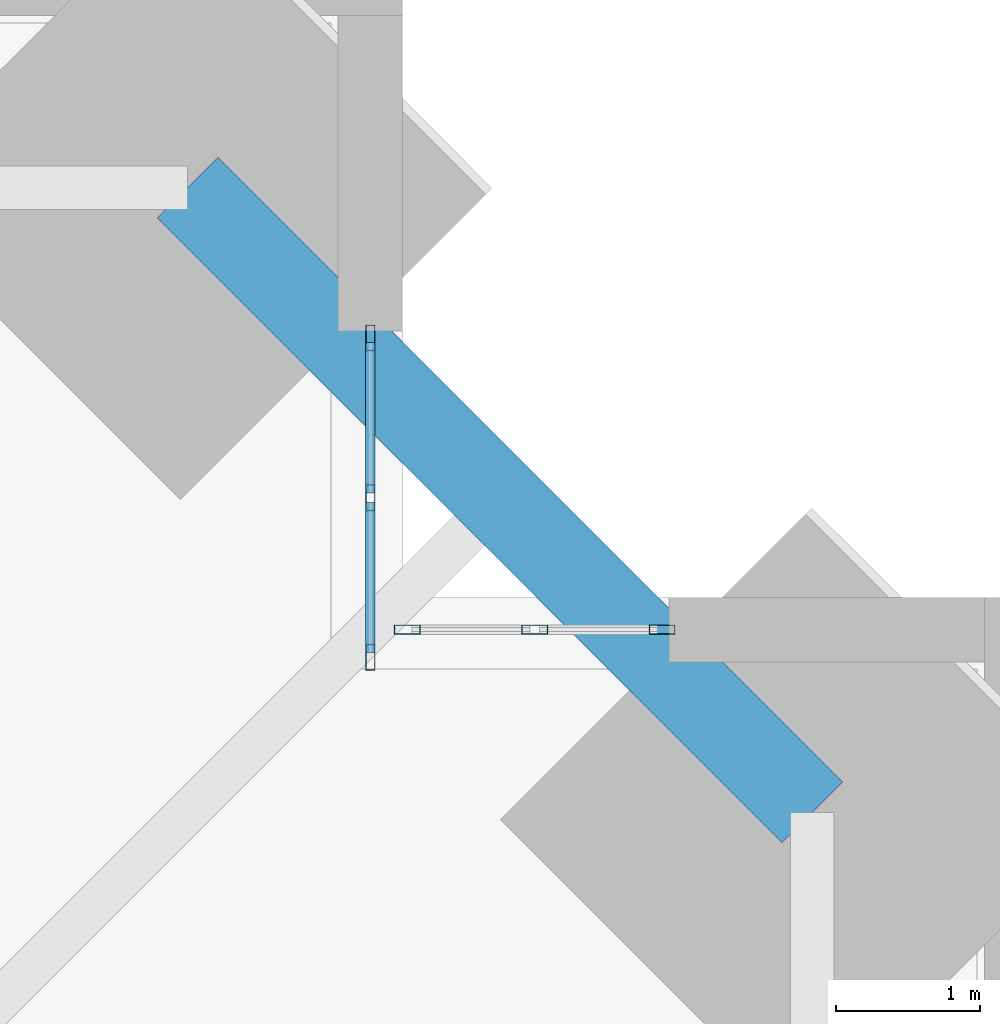
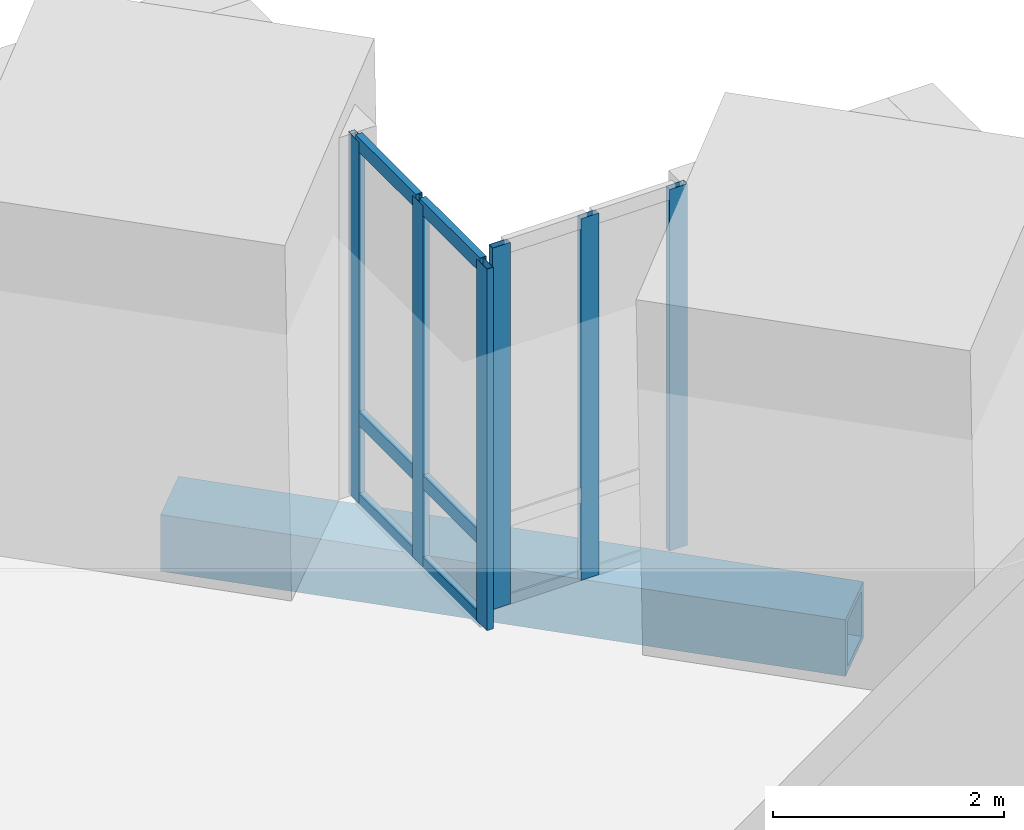
# One storey, part 8 of 14: 12 members, 1 beam, 2 elements without a shape of their own.
"""IFC4 building model written with IfcOpenShell, lengths in metres."""

from ifc_helpers import new_model, si_unit, direction, frame, origin, origin_2d, place, context, subcontext, project, spatial, hollow_rectangle, extrude, material, material_profile, profile_set, type_object, element, aggregate, save


model = new_model("IFC4")

# Units and contexts
model_context = context("Model", 3, precision=1e-05, world=origin(), true_north=direction((0.0, 1.0)))
body_context = subcontext(model_context, "Body", "Model", "MODEL_VIEW")
ifc_project = project(units=[si_unit("LENGTHUNIT", "METRE"), si_unit("AREAUNIT", "SQUARE_METRE"), si_unit("VOLUMEUNIT", "CUBIC_METRE"), si_unit("PLANEANGLEUNIT", "RADIAN"), si_unit("MASSUNIT", "GRAM", prefix="KILO")], contexts=[model_context])

# Site, building, storey
site_placement = place(None, origin())
site = spatial("IfcSite", under=ifc_project, at=site_placement, CompositionType="ELEMENT")
building_placement = place(site_placement, origin())
building = spatial("IfcBuilding", under=site, at=building_placement, Name="Peilmerk Tower", CompositionType="ELEMENT")
storey_placement = place(building_placement, frame((0.0, 0.0, 221.800048828125)))
storey = spatial("IfcBuildingStorey", under=building, at=storey_placement, Name="L48", CompositionType="ELEMENT", Elevation=221.800048828125)

# Beam
ifc_material_1 = material(Name="Steel S460", Category="steel")
ifc_material_profile_1 = material_profile(ifc_material_1, hollow_rectangle(XDim=0.60009765625, YDim=0.60009765625, WallThickness=0.06005859375, at=origin_2d()), Name="BOX 600x600x60")
ifc_profile_set_1 = profile_set([ifc_material_profile_1], Name="Steel S460")
beam_type = type_object("IfcBeamType", Name="B20 BOX 600x600x60 notch beam", PredefinedType="SPANDREL", material=ifc_profile_set_1)
beam_placement = place(storey_placement, frame((17.603271484375, 21.953125, -0.469970703125), z_axis=(0.707106781187, -0.707106781187, 0.0), x_axis=(0.707106781187, 0.707106781187, 0.0)))
element("IfcBeam", 1, at=beam_placement, inside=storey, type_object=beam_type, Name="Notch beam L48", PredefinedType="SPANDREL", context=body_context, shape_type="SweptSolid", body=[
    extrude(hollow_rectangle(XDim=0.60009765625, YDim=0.60009765625, WallThickness=0.06005859375, at=origin_2d()), origin(), (0.0, 0.0, 1.0), 6.151611328125),
])

# Curtain wall, members
ifc_material_2 = material(Name="Aluminium stick curtain wall", Category="aluminium")
curtain_wall_type = type_object("IfcCurtainWallType", Name="CW4 stick curtain wall, 2250 module", PredefinedType="NOTDEFINED", material=ifc_material_2)
curtain_wall_1_placement = place(storey_placement, origin())
curtain_wall_1 = element("IfcCurtainWall", 2, at=curtain_wall_1_placement, inside=storey, type_object=curtain_wall_type, Name="Curtain wall CW4 NEA L48", PredefinedType="NOTDEFINED")
ifc_material_3 = material(Name="Aluminium EN AW-6063 T6", Category="aluminium")
ifc_material_profile_2 = material_profile(ifc_material_3, hollow_rectangle(XDim=0.06494140625, YDim=0.179931640625, WallThickness=0.0029296875, at=origin_2d()), Name="AL 180x65x3")
ifc_profile_set_2 = profile_set([ifc_material_profile_2], Name="Aluminium EN AW-6063 T6")
member_type_1 = type_object("IfcMemberType", Name="CW4-M AL 180x65x3 mullion", PredefinedType="MULLION", material=ifc_profile_set_2)
member_1_placement = place(storey_placement, frame((18.875, 18.6826171875, 0.0), z_axis=(0.0, 0.0, 1.0), x_axis=(-1.0, 0.0, 0.0)))
member_1 = element("IfcMember", 3, at=member_1_placement, type_object=member_type_1, Name="CW4 mullion 1", PredefinedType="MULLION", context=body_context, shape_type="SweptSolid", body=[
    extrude(hollow_rectangle(XDim=0.06494140625, YDim=0.179931640625, WallThickness=0.0029296875, at=origin_2d()), origin(), (0.0, 0.0, 1.0), 3.829833984375),
])
member_2_placement = place(storey_placement, frame((18.875, 19.79443359375, 0.0), z_axis=(0.0, 0.0, 1.0), x_axis=(-1.0, 0.0, 0.0)))
member_2 = element("IfcMember", 4, at=member_2_placement, type_object=member_type_1, Name="CW4 mullion 2", PredefinedType="MULLION", context=body_context, shape_type="SweptSolid", body=[
    extrude(hollow_rectangle(XDim=0.06494140625, YDim=0.179931640625, WallThickness=0.0029296875, at=origin_2d()), origin(), (0.0, 0.0, 1.0), 3.829833984375),
])
member_3_placement = place(storey_placement, frame((18.875, 20.90625, 0.0), z_axis=(0.0, 0.0, 1.0), x_axis=(-1.0, 0.0, 0.0)))
member_3 = element("IfcMember", 5, at=member_3_placement, type_object=member_type_1, Name="CW4 mullion 3", PredefinedType="MULLION", context=body_context, shape_type="SweptSolid", body=[
    extrude(hollow_rectangle(XDim=0.06494140625, YDim=0.179931640625, WallThickness=0.0029296875, at=origin_2d()), origin(), (0.0, 0.0, 1.0), 3.829833984375),
])

curtain_wall_2_placement = place(storey_placement, origin())
curtain_wall_2 = element("IfcCurtainWall", 6, at=curtain_wall_2_placement, inside=storey, type_object=curtain_wall_type, Name="Curtain wall CW4 NEB L48", PredefinedType="NOTDEFINED")
member_4_placement = place(storey_placement, frame((19.132568359375, 18.875, 0.0), z_axis=(0.0, 0.0, 1.0), x_axis=(0.0, 1.0, 0.0)))
member_4 = element("IfcMember", 7, at=member_4_placement, type_object=member_type_1, Name="CW4 mullion 1", PredefinedType="MULLION", context=body_context, shape_type="SweptSolid", body=[
    extrude(hollow_rectangle(XDim=0.06494140625, YDim=0.179931640625, WallThickness=0.0029296875, at=origin_2d()), origin(), (0.0, 0.0, 1.0), 3.829833984375),
])
member_5_placement = place(storey_placement, frame((20.019287109375, 18.875, 0.0), z_axis=(0.0, 0.0, 1.0), x_axis=(0.0, 1.0, 0.0)))
member_5 = element("IfcMember", 8, at=member_5_placement, type_object=member_type_1, Name="CW4 mullion 2", PredefinedType="MULLION", context=body_context, shape_type="SweptSolid", body=[
    extrude(hollow_rectangle(XDim=0.06494140625, YDim=0.179931640625, WallThickness=0.0029296875, at=origin_2d()), origin(), (0.0, 0.0, 1.0), 3.829833984375),
])
member_6_placement = place(storey_placement, frame((20.90625, 18.875, 0.0), z_axis=(0.0, 0.0, 1.0), x_axis=(0.0, 1.0, 0.0)))
member_6 = element("IfcMember", 9, at=member_6_placement, type_object=member_type_1, Name="CW4 mullion 3", PredefinedType="MULLION", context=body_context, shape_type="SweptSolid", body=[
    extrude(hollow_rectangle(XDim=0.06494140625, YDim=0.179931640625, WallThickness=0.0029296875, at=origin_2d()), origin(), (0.0, 0.0, 1.0), 3.829833984375),
])
aggregate(curtain_wall_2, [member_4, member_5, member_6])

# Member
ifc_material_profile_3 = material_profile(ifc_material_3, hollow_rectangle(XDim=0.06494140625, YDim=0.14990234375, WallThickness=0.0029296875, at=origin_2d()), Name="AL 150x65x3")
ifc_profile_set_3 = profile_set([ifc_material_profile_3], Name="Aluminium EN AW-6063 T6")
member_type_2 = type_object("IfcMemberType", Name="CW4-T AL 150x65x3 transom", PredefinedType="USERDEFINED", material=ifc_profile_set_3)
member_7_placement = place(storey_placement, frame((18.875, 18.715087890625, 0.032470703125), z_axis=(0.0, 1.0, 0.0), x_axis=(-1.0, 0.0, 0.0)))
member_7 = element("IfcMember", 10, at=member_7_placement, type_object=member_type_2, Name="CW4 transom 1.1", ObjectType="TRANSOM", PredefinedType="USERDEFINED", context=body_context, shape_type="SweptSolid", body=[
    extrude(hollow_rectangle(XDim=0.06494140625, YDim=0.14990234375, WallThickness=0.0029296875, at=origin_2d()), origin(), (0.0, 0.0, 1.0), 1.046630859375),
])

member_8_placement = place(storey_placement, frame((18.875, 18.715087890625, 0.89990234375), z_axis=(0.0, 1.0, 0.0), x_axis=(-1.0, 0.0, 0.0)))
member_8 = element("IfcMember", 11, at=member_8_placement, type_object=member_type_2, Name="CW4 transom 1.2", ObjectType="TRANSOM", PredefinedType="USERDEFINED", context=body_context, shape_type="SweptSolid", body=[
    extrude(hollow_rectangle(XDim=0.06494140625, YDim=0.14990234375, WallThickness=0.0029296875, at=origin_2d()), origin(), (0.0, 0.0, 1.0), 1.046630859375),
])

member_9_placement = place(storey_placement, frame((18.875, 18.715087890625, 3.79736328125), z_axis=(0.0, 1.0, 0.0), x_axis=(-1.0, 0.0, 0.0)))
member_9 = element("IfcMember", 12, at=member_9_placement, type_object=member_type_2, Name="CW4 transom 1.3", ObjectType="TRANSOM", PredefinedType="USERDEFINED", context=body_context, shape_type="SweptSolid", body=[
    extrude(hollow_rectangle(XDim=0.06494140625, YDim=0.14990234375, WallThickness=0.0029296875, at=origin_2d()), origin(), (0.0, 0.0, 1.0), 1.046630859375),
])

member_10_placement = place(storey_placement, frame((18.875, 19.826904296875, 0.032470703125), z_axis=(0.0, 1.0, 0.0), x_axis=(-1.0, 0.0, 0.0)))
member_10 = element("IfcMember", 13, at=member_10_placement, type_object=member_type_2, Name="CW4 transom 2.1", ObjectType="TRANSOM", PredefinedType="USERDEFINED", context=body_context, shape_type="SweptSolid", body=[
    extrude(hollow_rectangle(XDim=0.06494140625, YDim=0.14990234375, WallThickness=0.0029296875, at=origin_2d()), origin(), (0.0, 0.0, 1.0), 1.046875),
])

member_11_placement = place(storey_placement, frame((18.875, 19.826904296875, 0.89990234375), z_axis=(0.0, 1.0, 0.0), x_axis=(-1.0, 0.0, 0.0)))
member_11 = element("IfcMember", 14, at=member_11_placement, type_object=member_type_2, Name="CW4 transom 2.2", ObjectType="TRANSOM", PredefinedType="USERDEFINED", context=body_context, shape_type="SweptSolid", body=[
    extrude(hollow_rectangle(XDim=0.06494140625, YDim=0.14990234375, WallThickness=0.0029296875, at=origin_2d()), origin(), (0.0, 0.0, 1.0), 1.046875),
])

member_12_placement = place(storey_placement, frame((18.875, 19.826904296875, 3.79736328125), z_axis=(0.0, 1.0, 0.0), x_axis=(-1.0, 0.0, 0.0)))
member_12 = element("IfcMember", 15, at=member_12_placement, type_object=member_type_2, Name="CW4 transom 2.3", ObjectType="TRANSOM", PredefinedType="USERDEFINED", context=body_context, shape_type="SweptSolid", body=[
    extrude(hollow_rectangle(XDim=0.06494140625, YDim=0.14990234375, WallThickness=0.0029296875, at=origin_2d()), origin(), (0.0, 0.0, 1.0), 1.046875),
])

aggregate(curtain_wall_1, [member_1, member_2, member_3, member_7, member_8, member_9, member_10, member_11, member_12])

save(model, "model.ifc")
